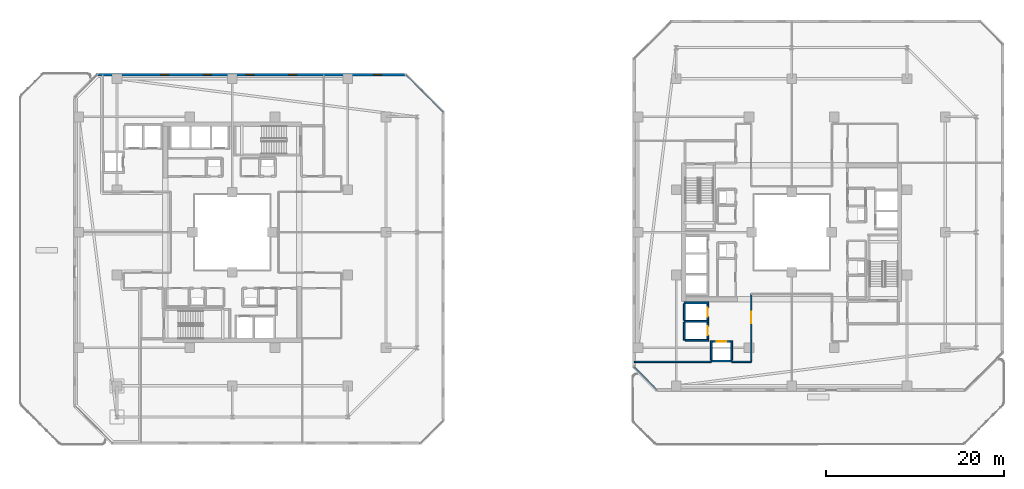
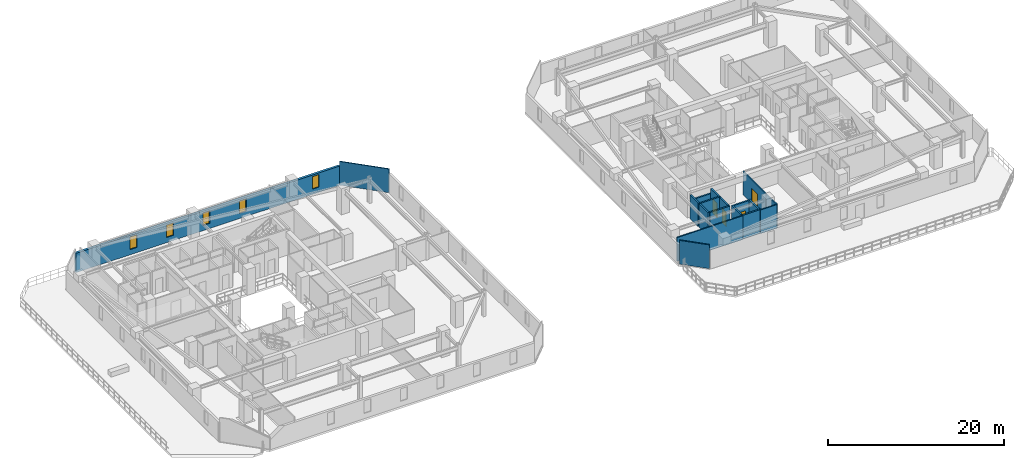
# One storey, part 21 of 30: 18 walls, 5 windows, 4 doors, 9 openings.
"""IFC4 building model written with IfcOpenShell, lengths in metres."""

from ifc_helpers import new_model, si_unit, direction, frame, frame_2d, origin, place, context, subcontext, project, spatial, rectangle, extrude, material, layer, layer_set, type_object, element, fill, save


model = new_model("IFC4")

# Units and contexts
model_context = context("Model", 3, precision=1e-05, world=origin(), true_north=direction((0.0, 1.0)))
body_context = subcontext(model_context, "Body", "Model", "MODEL_VIEW")
ifc_project = project(units=[si_unit("LENGTHUNIT", "METRE"), si_unit("AREAUNIT", "SQUARE_METRE"), si_unit("VOLUMEUNIT", "CUBIC_METRE"), si_unit("PLANEANGLEUNIT", "RADIAN"), si_unit("MASSUNIT", "GRAM", prefix="KILO")], contexts=[model_context])

# Site, building, storey
site_placement = place(None, origin())
site = spatial("IfcSite", under=ifc_project, at=site_placement, CompositionType="ELEMENT")
building_placement = place(site_placement, origin())
building = spatial("IfcBuilding", under=site, at=building_placement, Name="Thornwick Lancets Civic Towers", CompositionType="ELEMENT")
storey_placement = place(building_placement, frame((0.0, 0.0, 149.10009765625)))
storey = spatial("IfcBuildingStorey", under=building, at=storey_placement, Name="L39", CompositionType="ELEMENT", Elevation=149.10009765625)

# Wall, opening, door
ifc_material_1 = material(Name="Concrete blockwork C40/50", Category="masonry")
ifc_layer_1 = layer(ifc_material_1, 0.199951171875, Name="Concrete blockwork C40/50")
ifc_layer_set_1 = layer_set([ifc_layer_1], Name="Concrete blockwork C40/50")
wall_type_1 = type_object("IfcWallType", Name="WALL_COMP_200", PredefinedType="STANDARD", material=ifc_layer_set_1)
wall_1_placement = place(storey_placement, frame((79.050048828125, 17.1298828125, 0.0), z_axis=(0.0, 0.0, 1.0), x_axis=(0.0, 1.0, 0.0)))
wall_1 = element("IfcWall", 1, at=wall_1_placement, inside=storey, type_object=wall_type_1, Name="L39 Hoistway Front Wall PL-BM1", PredefinedType="STANDARD", context=body_context, shape_type="SweptSolid", body=[
    extrude(rectangle(XDim=1.740234375, YDim=0.199951171875, at=frame_2d((0.8701171875, 0.0))), origin(), (0.0, 0.0, 1.0), 3.2998046875),
])
opening_1_placement = place(wall_1_placement, frame((0.360107421875, 0.0, 0.0)))
opening_1 = element("IfcOpeningElement", 2, at=opening_1_placement, cuts=wall_1, Name="Opening LD-PL-BM1", PredefinedType="OPENING", context=body_context, shape_type="SweptSolid", body=[
    extrude(rectangle(XDim=1.02001953125, YDim=2.06005859375, at=frame_2d((0.510009765625, 1.030029296875))), frame((0.0, 0.10986328125, 0.0), z_axis=(0.0, -1.0, 0.0), x_axis=(1.0, 0.0, 0.0)), (0.0, 0.0, 1.0), 0.219970703125),
])
ifc_material_2 = material(Name="Brushed bronze stainless steel", Category="steel")
door_type_1 = type_object("IfcDoorType", Name="DOOR_LIFT_SLIDE", OperationType="SLIDING_TO_LEFT", PredefinedType="DOOR", material=ifc_material_2)
door_1_placement = place(opening_1_placement, origin())
door_1 = element("IfcDoor", 3, at=door_1_placement, inside=storey, type_object=door_type_1, Name="L39 Sliding Lift Landing Door LD-PL-BM1", OperationType="SLIDING_TO_LEFT", OverallHeight=2.06005859375, OverallWidth=1.02001953125, PredefinedType="DOOR", context=body_context, shape_type="SweptSolid", body=[
    extrude(rectangle(XDim=1.02001953125, YDim=2.06005859375, at=frame_2d((0.510009765625, 1.030029296875))), frame((0.0, 0.02490234375, 0.0), z_axis=(0.0, -1.0, 0.0), x_axis=(1.0, 0.0, 0.0)), (0.0, 0.0, 1.0), 0.050048828125),
])
fill(opening_1, door_1)

wall_2_placement = place(storey_placement, frame((79.050048828125, 15.030029296875, 0.0), z_axis=(0.0, 0.0, 1.0), x_axis=(0.0, 1.0, 0.0)))
wall_2 = element("IfcWall", 4, at=wall_2_placement, inside=storey, type_object=wall_type_1, Name="L39 Hoistway Front Wall PL-BM2", PredefinedType="STANDARD", context=body_context, shape_type="SweptSolid", body=[
    extrude(rectangle(XDim=1.7900390625, YDim=0.199951171875, at=frame_2d((0.89501953125, 0.0))), origin(), (0.0, 0.0, 1.0), 3.2998046875),
])
opening_2_placement = place(wall_2_placement, frame((0.385009765625, 0.0, 0.0)))
opening_2 = element("IfcOpeningElement", 5, at=opening_2_placement, cuts=wall_2, Name="Opening LD-PL-BM2", PredefinedType="OPENING", context=body_context, shape_type="SweptSolid", body=[
    extrude(rectangle(XDim=1.02001953125, YDim=2.06005859375, at=frame_2d((0.510009765625, 1.030029296875))), frame((0.0, 0.10986328125, 0.0), z_axis=(0.0, -1.0, 0.0), x_axis=(1.0, 0.0, 0.0)), (0.0, 0.0, 1.0), 0.219970703125),
])
door_2_placement = place(opening_2_placement, origin())
door_2 = element("IfcDoor", 6, at=door_2_placement, inside=storey, type_object=door_type_1, Name="L39 Sliding Lift Landing Door LD-PL-BM2", OperationType="SLIDING_TO_LEFT", OverallHeight=2.06005859375, OverallWidth=1.02001953125, PredefinedType="DOOR", context=body_context, shape_type="SweptSolid", body=[
    extrude(rectangle(XDim=1.02001953125, YDim=2.06005859375, at=frame_2d((0.510009765625, 1.030029296875))), frame((0.0, 0.02490234375, 0.0), z_axis=(0.0, -1.0, 0.0), x_axis=(1.0, 0.0, 0.0)), (0.0, 0.0, 1.0), 0.050048828125),
])
fill(opening_2, door_2)

wall_3_placement = place(storey_placement, frame((79.6298828125, 14.699951171875, 0.0), z_axis=(0.0, 0.0, 1.0), x_axis=(1.0, 0.0, 0.0)))
wall_3 = element("IfcWall", 7, at=wall_3_placement, inside=storey, type_object=wall_type_1, Name="L39 Hoistway Front Wall PL-BM3", PredefinedType="STANDARD", context=body_context, shape_type="SweptSolid", body=[
    extrude(rectangle(XDim=1.940185546875, YDim=0.199951171875, at=frame_2d((0.97021484375, 0.0))), origin(), (0.0, 0.0, 1.0), 3.2998046875),
])
opening_3_placement = place(wall_3_placement, frame((0.4599609375, 0.0, 0.0)))
opening_3 = element("IfcOpeningElement", 8, at=opening_3_placement, cuts=wall_3, Name="Opening LD-PL-BM3", PredefinedType="OPENING", context=body_context, shape_type="SweptSolid", body=[
    extrude(rectangle(XDim=1.02001953125, YDim=2.06005859375, at=frame_2d((0.510009765625, 1.030029296875))), frame((0.0, 0.10986328125, 0.0), z_axis=(0.0, -1.0, 0.0), x_axis=(1.0, 0.0, 0.0)), (0.0, 0.0, 1.0), 0.219970703125),
])
door_3_placement = place(opening_3_placement, origin())
door_3 = element("IfcDoor", 9, at=door_3_placement, inside=storey, type_object=door_type_1, Name="L39 Sliding Lift Landing Door LD-PL-BM3", OperationType="SLIDING_TO_LEFT", OverallHeight=2.06005859375, OverallWidth=1.02001953125, PredefinedType="DOOR", context=body_context, shape_type="SweptSolid", body=[
    extrude(rectangle(XDim=1.02001953125, YDim=2.06005859375, at=frame_2d((0.510009765625, 1.030029296875))), frame((0.0, 0.02490234375, 0.0), z_axis=(0.0, -1.0, 0.0), x_axis=(1.0, 0.0, 0.0)), (0.0, 0.0, 1.0), 0.050048828125),
])
fill(opening_3, door_3)

# Walls
wall_4_placement = place(storey_placement, frame((76.402099609375, 19.050048828125, 0.0), z_axis=(0.0, 0.0, 1.0), x_axis=(1.0, 0.0, 0.0)))
element("IfcWall", 10, at=wall_4_placement, inside=storey, type_object=wall_type_1, Name="L39 Hoistway Shaft Wall PL-BM1 N", PredefinedType="STANDARD", context=body_context, shape_type="SweptSolid", body=[
    extrude(rectangle(XDim=2.745849609375, YDim=0.199951171875, at=frame_2d((1.373046875, 0.0))), origin(), (0.0, 0.0, 1.0), 2.5048828125),
])
wall_5_placement = place(storey_placement, frame((76.402099609375, 16.97509765625, 0.0), z_axis=(0.0, 0.0, 1.0), x_axis=(1.0, 0.0, 0.0)))
element("IfcWall", 11, at=wall_5_placement, inside=storey, type_object=wall_type_1, Name="L39 Hoistway Shaft Wall PL-BM1 S", PredefinedType="STANDARD", context=body_context, shape_type="SweptSolid", body=[
    extrude(rectangle(XDim=2.745849609375, YDim=0.199951171875, at=frame_2d((1.373046875, 0.0))), origin(), (0.0, 0.0, 1.0), 3.2998046875),
])
wall_6_placement = place(storey_placement, frame((76.39990234375, 14.85205078125, 0.0), z_axis=(0.0, 0.0, 1.0), x_axis=(0.0, 1.0, 0.0)))
element("IfcWall", 12, at=wall_6_placement, inside=storey, type_object=wall_type_1, Name="L39 Hoistway Shaft Wall PL-BM1 W", PredefinedType="STANDARD", context=body_context, shape_type="SweptSolid", body=[
    extrude(rectangle(XDim=2.015869140625, YDim=0.199951171875, at=frame_2d((1.0078125, 0.0))), origin(), (0.0, 0.0, 1.0), 3.2998046875),
])
wall_7_placement = place(storey_placement, frame((76.39990234375, 17.08203125, 0.0), z_axis=(0.0, 0.0, 1.0), x_axis=(0.0, 1.0, 0.0)))
element("IfcWall", 13, at=wall_7_placement, inside=storey, type_object=wall_type_1, Name="L39 Hoistway Shaft Wall PL-BM1 W", PredefinedType="STANDARD", context=body_context, shape_type="SweptSolid", body=[
    extrude(rectangle(XDim=1.85595703125, YDim=0.199951171875, at=frame_2d((0.927978515625, 0.0))), origin(), (0.0, 0.0, 1.0), 3.2998046875),
])
wall_8_placement = place(storey_placement, frame((76.511962890625, 14.85009765625, 0.0), z_axis=(0.0, 0.0, 1.0), x_axis=(1.0, 0.0, 0.0)))
element("IfcWall", 14, at=wall_8_placement, inside=storey, type_object=wall_type_1, Name="L39 Hoistway Shaft Wall PL-BM2 S", PredefinedType="STANDARD", context=body_context, shape_type="SweptSolid", body=[
    extrude(rectangle(XDim=2.635986328125, YDim=0.199951171875, at=frame_2d((1.31787109375, 0.0))), origin(), (0.0, 0.0, 1.0), 3.2998046875),
])
wall_9_placement = place(storey_placement, frame((79.451904296875, 12.5, 0.0), z_axis=(0.0, 0.0, 1.0), x_axis=(1.0, 0.0, 0.0)))
element("IfcWall", 15, at=wall_9_placement, inside=storey, type_object=wall_type_1, Name="L39 Hoistway Shaft Wall PL-BM3 S", PredefinedType="STANDARD", context=body_context, shape_type="SweptSolid", body=[
    extrude(rectangle(XDim=2.296142578125, YDim=0.199951171875, at=frame_2d((1.14794921875, 0.0))), origin(), (0.0, 0.0, 1.0), 3.2998046875),
])
for number, where, z_axis, x_axis, name in (
    (16, (81.75, 12.612060546875, 0.0), (0.0, 0.0, 1.0), (0.0, 1.0, 0.0), "L39 Hoistway Shaft Wall PL-BM3 E"),
    (17, (79.449951171875, 12.612060546875, 0.0), (0.0, 0.0, 1.0), (0.0, 1.0, 0.0), "L39 Hoistway Shaft Wall PL-BM3 W"),
):
    element("IfcWall", number, at=place(storey_placement, frame(where, z_axis=z_axis, x_axis=x_axis)), inside=storey, type_object=wall_type_1, Name=name, PredefinedType="STANDARD", context=body_context, shape_type="SweptSolid", body=[
        extrude(rectangle(XDim=2.18603515625, YDim=0.199951171875, at=frame_2d((1.093017578125, 0.0))), origin(), (0.0, 0.0, 1.0), 3.2998046875),
    ])

# Wall, openings, windows
ifc_material_3 = material(Name="Insulated russet terracotta rainscreen on concrete C40/50", Category="masonry")
ifc_layer_2 = layer(ifc_material_3, 0.300048828125, Name="Insulated russet terracotta rainscreen on concrete C40/50")
ifc_layer_set_2 = layer_set([ifc_layer_2], Name="Insulated russet terracotta rainscreen on concrete C40/50")
wall_type_2 = type_object("IfcWallType", Name="WALL_EXT_RUSSET_300", PredefinedType="STANDARD", material=ifc_layer_set_2)
wall_10_placement = place(storey_placement, frame((45.02587890625, 44.75927734375, 0.0), z_axis=(0.0, 0.0, 1.0), x_axis=(-0.999999988026, 0.000154754115, 0.0)))
wall_10 = element("IfcWall", 18, at=wall_10_placement, inside=storey, type_object=wall_type_2, Name="L39 Tower A Terracotta Facade Wall E4", PredefinedType="STANDARD", context=body_context, shape_type="SweptSolid", body=[
    extrude(rectangle(XDim=34.707275390625, YDim=0.300048828125, at=frame_2d((17.353515625, 0.0))), origin(), (0.0, 0.0, 1.0), 2.699951171875),
])
opening_4_placement = place(wall_10_placement, frame((2.699951171875, 0.0, 0.719970703125)))
opening_4 = element("IfcOpeningElement", 19, at=opening_4_placement, cuts=wall_10, Name="Opening WL-01", PredefinedType="OPENING", context=body_context, shape_type="SweptSolid", body=[
    extrude(rectangle(XDim=0.89990234375, YDim=1.75, at=frame_2d((0.449951171875, 0.875))), frame((0.0, 0.16015625, 0.0), z_axis=(0.0, -1.0, 0.0), x_axis=(1.0, 0.0, 0.0)), (0.0, 0.0, 1.0), 0.320068359375),
])
opening_5_placement = place(wall_10_placement, frame((12.300048828125, 0.0, 0.719970703125)))
opening_5 = element("IfcOpeningElement", 20, at=opening_5_placement, cuts=wall_10, Name="Opening WL-01", PredefinedType="OPENING", context=body_context, shape_type="SweptSolid", body=[
    extrude(rectangle(XDim=0.89990234375, YDim=1.75, at=frame_2d((0.449951171875, 0.875))), frame((0.0, 0.16015625, 0.0), z_axis=(0.0, -1.0, 0.0), x_axis=(1.0, 0.0, 0.0)), (0.0, 0.0, 1.0), 0.320068359375),
])
opening_6_placement = place(wall_10_placement, frame((17.10009765625, 0.0, 0.719970703125)))
opening_6 = element("IfcOpeningElement", 21, at=opening_6_placement, cuts=wall_10, Name="Opening WL-01", PredefinedType="OPENING", context=body_context, shape_type="SweptSolid", body=[
    extrude(rectangle(XDim=0.89990234375, YDim=1.75, at=frame_2d((0.449951171875, 0.875))), frame((0.0, 0.16015625, 0.0), z_axis=(0.0, -1.0, 0.0), x_axis=(1.0, 0.0, 0.0)), (0.0, 0.0, 1.0), 0.320068359375),
])
opening_7_placement = place(wall_10_placement, frame((21.89990234375, 0.0, 0.719970703125)))
opening_7 = element("IfcOpeningElement", 22, at=opening_7_placement, cuts=wall_10, Name="Opening WL-01", PredefinedType="OPENING", context=body_context, shape_type="SweptSolid", body=[
    extrude(rectangle(XDim=0.89990234375, YDim=1.75, at=frame_2d((0.449951171875, 0.875))), frame((0.0, 0.16015625, 0.0), z_axis=(0.0, -1.0, 0.0), x_axis=(1.0, 0.0, 0.0)), (0.0, 0.0, 1.0), 0.320068359375),
])
opening_8_placement = place(wall_10_placement, frame((26.699951171875, 0.0, 0.719970703125)))
opening_8 = element("IfcOpeningElement", 23, at=opening_8_placement, cuts=wall_10, Name="Opening WL-01", PredefinedType="OPENING", context=body_context, shape_type="SweptSolid", body=[
    extrude(rectangle(XDim=0.89990234375, YDim=1.75, at=frame_2d((0.449951171875, 0.875))), frame((0.0, 0.16015625, 0.0), z_axis=(0.0, -1.0, 0.0), x_axis=(1.0, 0.0, 0.0)), (0.0, 0.0, 1.0), 0.320068359375),
])
ifc_material_4 = material(Name="Clear low-e double glazing in bronze frame", Category="glass")
window_type = type_object("IfcWindowType", Name="WIN_LANCET_900", PartitioningType="SINGLE_PANEL", PredefinedType="WINDOW", material=ifc_material_4)
window_1_placement = place(opening_4_placement, origin())
window_1 = element("IfcWindow", 24, at=window_1_placement, inside=storey, type_object=window_type, Name="L39 Tower A Staggered Lancet Window E4-1", OverallHeight=1.75, OverallWidth=0.89990234375, PartitioningType="SINGLE_PANEL", PredefinedType="WINDOW", context=body_context, shape_type="SweptSolid", body=[
    extrude(rectangle(XDim=0.89990234375, YDim=1.75, at=frame_2d((0.449951171875, 0.875))), frame((0.0, 0.030029296875, 0.0), z_axis=(0.0, -1.0, 0.0), x_axis=(1.0, 0.0, 0.0)), (0.0, 0.0, 1.0), 0.06005859375),
])
fill(opening_4, window_1)
window_2_placement = place(opening_5_placement, origin())
window_2 = element("IfcWindow", 25, at=window_2_placement, inside=storey, type_object=window_type, Name="L39 Tower A Staggered Lancet Window E4-2", OverallHeight=1.75, OverallWidth=0.89990234375, PartitioningType="SINGLE_PANEL", PredefinedType="WINDOW", context=body_context, shape_type="SweptSolid", body=[
    extrude(rectangle(XDim=0.89990234375, YDim=1.75, at=frame_2d((0.449951171875, 0.875))), frame((0.0, 0.030029296875, 0.0), z_axis=(0.0, -1.0, 0.0), x_axis=(1.0, 0.0, 0.0)), (0.0, 0.0, 1.0), 0.06005859375),
])
fill(opening_5, window_2)
window_3_placement = place(opening_6_placement, origin())
window_3 = element("IfcWindow", 26, at=window_3_placement, inside=storey, type_object=window_type, Name="L39 Tower A Staggered Lancet Window E4-3", OverallHeight=1.75, OverallWidth=0.89990234375, PartitioningType="SINGLE_PANEL", PredefinedType="WINDOW", context=body_context, shape_type="SweptSolid", body=[
    extrude(rectangle(XDim=0.89990234375, YDim=1.75, at=frame_2d((0.449951171875, 0.875))), frame((0.0, 0.030029296875, 0.0), z_axis=(0.0, -1.0, 0.0), x_axis=(1.0, 0.0, 0.0)), (0.0, 0.0, 1.0), 0.06005859375),
])
fill(opening_6, window_3)
window_4_placement = place(opening_7_placement, origin())
window_4 = element("IfcWindow", 27, at=window_4_placement, inside=storey, type_object=window_type, Name="L39 Tower A Staggered Lancet Window E4-4", OverallHeight=1.75, OverallWidth=0.89990234375, PartitioningType="SINGLE_PANEL", PredefinedType="WINDOW", context=body_context, shape_type="SweptSolid", body=[
    extrude(rectangle(XDim=0.89990234375, YDim=1.75, at=frame_2d((0.449951171875, 0.875))), frame((0.0, 0.030029296875, 0.0), z_axis=(0.0, -1.0, 0.0), x_axis=(1.0, 0.0, 0.0)), (0.0, 0.0, 1.0), 0.06005859375),
])
fill(opening_7, window_4)
window_5_placement = place(opening_8_placement, origin())
window_5 = element("IfcWindow", 28, at=window_5_placement, inside=storey, type_object=window_type, Name="L39 Tower A Staggered Lancet Window E4-5", OverallHeight=1.75, OverallWidth=0.89990234375, PartitioningType="SINGLE_PANEL", PredefinedType="WINDOW", context=body_context, shape_type="SweptSolid", body=[
    extrude(rectangle(XDim=0.89990234375, YDim=1.75, at=frame_2d((0.449951171875, 0.875))), frame((0.0, 0.030029296875, 0.0), z_axis=(0.0, -1.0, 0.0), x_axis=(1.0, 0.0, 0.0)), (0.0, 0.0, 1.0), 0.06005859375),
])
fill(opening_8, window_5)

# Wall
ifc_material_5 = material(Name="Acoustic gypsum board partition")
ifc_layer_3 = layer(ifc_material_5, 0.1201171875, Name="Acoustic gypsum board partition")
ifc_layer_set_3 = layer_set([ifc_layer_3], Name="Acoustic gypsum board partition")
wall_type_3 = type_object("IfcWallType", Name="WALL_PART_120", PredefinedType="PARTITIONING", material=ifc_layer_set_3)
wall_11_placement = place(storey_placement, frame((45.0634765625, 44.719970703125, 0.0), z_axis=(0.0, 0.0, 1.0), x_axis=(0.707106781187, -0.707106781187, 0.0)))
element("IfcWall", 29, at=wall_11_placement, inside=storey, type_object=wall_type_3, Name="L39 Partition L39-A-E3 E8", PredefinedType="PARTITIONING", context=body_context, shape_type="SweptSolid", body=[
    extrude(rectangle(XDim=5.878173828125, YDim=0.1201171875, at=frame_2d((2.93896484375, 0.0))), origin(), (0.0, 0.0, 1.0), 3.2998046875),
])

# Wall, opening, door
ifc_material_6 = material(Name="Twin-stud acoustic gypsum board")
ifc_layer_4 = layer(ifc_material_6, 0.14990234375, Name="Twin-stud acoustic gypsum board")
ifc_layer_set_4 = layer_set([ifc_layer_4], Name="Twin-stud acoustic gypsum board")
wall_type_4 = type_object("IfcWallType", Name="WALL_PART_150", PredefinedType="PARTITIONING", material=ifc_layer_set_4)
wall_12_placement = place(storey_placement, frame((83.949951171875, 14.75, 0.0), z_axis=(0.0, 0.0, 1.0), x_axis=(0.0, 1.0, 0.0)))
wall_12 = element("IfcWall", 30, at=wall_12_placement, inside=storey, type_object=wall_type_4, Name="L39 Partition L39-B-W2 E1", PredefinedType="PARTITIONING", context=body_context, shape_type="SweptSolid", body=[
    extrude(rectangle(XDim=5.300048828125, YDim=0.14990234375, at=frame_2d((2.64990234375, 0.0))), origin(), (0.0, 0.0, 1.0), 3.2998046875),
])
opening_9_placement = place(wall_12_placement, frame((2.0, 0.0, 0.0)))
opening_9 = element("IfcOpeningElement", 31, at=opening_9_placement, cuts=wall_12, Name="Opening D-L39-1786", PredefinedType="OPENING", context=body_context, shape_type="SweptSolid", body=[
    extrude(rectangle(XDim=1.300048828125, YDim=2.1201171875, at=frame_2d((0.64990234375, 1.06005859375))), frame((0.0, 0.0849609375, 0.0), z_axis=(0.0, -1.0, 0.0), x_axis=(1.0, 0.0, 0.0)), (0.0, 0.0, 1.0), 0.169921875),
])
ifc_material_7 = material(Name="Acoustic oak leaf-and-a-half doorset")
door_type_2 = type_object("IfcDoorType", Name="DOOR_MEET_1300", OperationType="DOUBLE_DOOR_SINGLE_SWING", PredefinedType="DOOR", material=ifc_material_7)
door_4_placement = place(opening_9_placement, origin())
door_4 = element("IfcDoor", 32, at=door_4_placement, inside=storey, type_object=door_type_2, Name="L39 Tower B Policy Briefing Room W2 Door", OperationType="DOUBLE_DOOR_SINGLE_SWING", OverallHeight=2.1201171875, OverallWidth=1.300048828125, PredefinedType="DOOR", context=body_context, shape_type="SweptSolid", body=[
    extrude(rectangle(XDim=1.300048828125, YDim=2.1201171875, at=frame_2d((0.64990234375, 1.06005859375))), frame((0.0, 0.02490234375, 0.0), z_axis=(0.0, -1.0, 0.0), x_axis=(1.0, 0.0, 0.0)), (0.0, 0.0, 1.0), 0.050048828125),
])
fill(opening_9, door_4)

# Walls
wall_13_placement = place(storey_placement, frame((73.274658203125, 9.280029296875, 0.0), z_axis=(0.0, 0.0, 1.0), x_axis=(-0.707106781187, 0.707106781187, 0.0)))
element("IfcWall", 33, at=wall_13_placement, inside=storey, type_object=wall_type_4, Name="L39 Partition L39-B-W2 E5", PredefinedType="PARTITIONING", context=body_context, shape_type="SweptSolid", body=[
    extrude(rectangle(XDim=3.52783203125, YDim=0.14990234375, at=frame_2d((1.763916015625, 0.0))), origin(), (0.0, 0.0, 1.0), 3.2998046875),
])
wall_14_placement = place(storey_placement, frame((70.780029296875, 12.39990234375, 0.0), z_axis=(0.0, 0.0, 1.0), x_axis=(1.0, 0.0, 0.0)))
element("IfcWall", 34, at=wall_14_placement, inside=storey, type_object=wall_type_4, Name="L39 Partition L39-B-W2 E7", PredefinedType="PARTITIONING", context=body_context, shape_type="SweptSolid", body=[
    extrude(rectangle(XDim=8.671875, YDim=0.14990234375, at=frame_2d((4.3359375, 0.0))), origin(), (0.0, 0.0, 1.0), 3.2998046875),
])
wall_15_placement = place(storey_placement, frame((81.748046875, 12.39990234375, 0.0), z_axis=(0.0, 0.0, 1.0), x_axis=(1.0, 0.0, 0.0)))
element("IfcWall", 35, at=wall_15_placement, inside=storey, type_object=wall_type_4, Name="L39 Partition L39-B-W2 E7", PredefinedType="PARTITIONING", context=body_context, shape_type="SweptSolid", body=[
    extrude(rectangle(XDim=2.201904296875, YDim=0.14990234375, at=frame_2d((1.10107421875, 0.0))), origin(), (0.0, 0.0, 1.0), 3.2998046875),
])
wall_16_placement = place(storey_placement, frame((83.949951171875, 12.39990234375, 0.0), z_axis=(0.0, 0.0, 1.0), x_axis=(0.0, 1.0, 0.0)))
element("IfcWall", 36, at=wall_16_placement, inside=storey, type_object=wall_type_4, Name="L39 Partition L39-B-W2 E8", PredefinedType="PARTITIONING", context=body_context, shape_type="SweptSolid", body=[
    extrude(rectangle(XDim=2.35009765625, YDim=0.14990234375, at=frame_2d((1.175048828125, 0.0))), origin(), (0.0, 0.0, 1.0), 3.2998046875),
])

save(model, "model.ifc")
